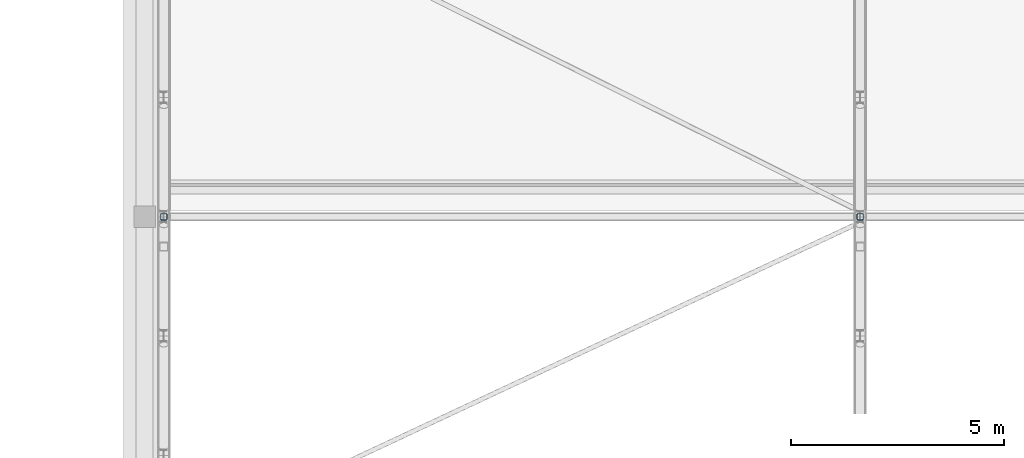
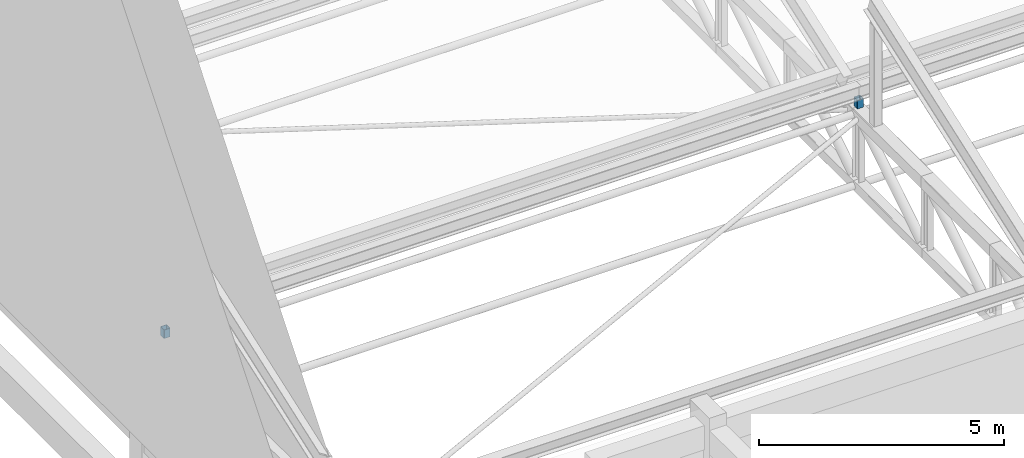
# One storey, part 54 of 101: 2 members.
"""IFC4 building model written with IfcOpenShell, lengths in metres."""

from ifc_helpers import new_model, si_unit, direction, frame, origin, origin_2d, place, context, subcontext, project, spatial, hollow_rectangle, extrude, material, material_profile, profile_set, type_object, element, save


model = new_model("IFC4")

# Units and contexts
model_context = context("Model", 3, precision=1e-05, world=origin(), true_north=direction((0.0, 1.0)))
body_context = subcontext(model_context, "Body", "Model", "MODEL_VIEW")
ifc_project = project(units=[si_unit("LENGTHUNIT", "METRE"), si_unit("AREAUNIT", "SQUARE_METRE"), si_unit("VOLUMEUNIT", "CUBIC_METRE"), si_unit("PLANEANGLEUNIT", "RADIAN"), si_unit("MASSUNIT", "GRAM", prefix="KILO")], contexts=[model_context])

# Site, building, storey
site_placement = place(None, origin())
site = spatial("IfcSite", under=ifc_project, at=site_placement, CompositionType="ELEMENT")
building_placement = place(site_placement, origin())
building = spatial("IfcBuilding", under=site, at=building_placement, Name="Fescue Hill Polytechnic", CompositionType="ELEMENT")
storey_placement = place(building_placement, frame((0.0, 0.0, 9.0)))
storey = spatial("IfcBuildingStorey", under=building, at=storey_placement, Name="L02", CompositionType="ELEMENT", Elevation=9.0)

# Members
ifc_material = material(Name="Steel 350W (350 MPa)", Category="steel")
ifc_material_profile = material_profile(ifc_material, hollow_rectangle(XDim=0.15234375, YDim=0.15234375, WallThickness=0.009521484375, InnerFilletRadius=0.009521484375, OuterFilletRadius=0.01904296875, at=origin_2d()), Name="Valley bearing post HSS 152x152x9.5")
ifc_profile_set = profile_set([ifc_material_profile], Name="Steel 350W (350 MPa)")
member_type = type_object("IfcMemberType", Name="Valley bearing post HSS 152x152x9.5", PredefinedType="POST", material=ifc_profile_set)
for number, where, z_axis, x_axis, name in (
    (1, (0.449951171875, 25.199951171875, 3.93603515625), (0.0, 0.0, 1.0), (1.0, 0.0, 0.0), "Valley 2 bearing post on TR1"),
    (2, (16.800048828125, 25.199951171875, 3.93603515625), (0.0, 0.0, 1.0), (1.0, 0.0, 0.0), "Valley 2 bearing post on TR2"),
):
    element("IfcMember", number, at=place(storey_placement, frame(where, z_axis=z_axis, x_axis=x_axis)), inside=storey, type_object=member_type, Name=name, PredefinedType="POST", context=body_context, shape_type="SweptSolid", body=[
        extrude(hollow_rectangle(XDim=0.15234375, YDim=0.15234375, WallThickness=0.009521484375, InnerFilletRadius=0.009521484375, OuterFilletRadius=0.01904296875, at=origin_2d()), origin(), (0.0, 0.0, 1.0), 0.2138671875),
    ])

save(model, "model.ifc")
